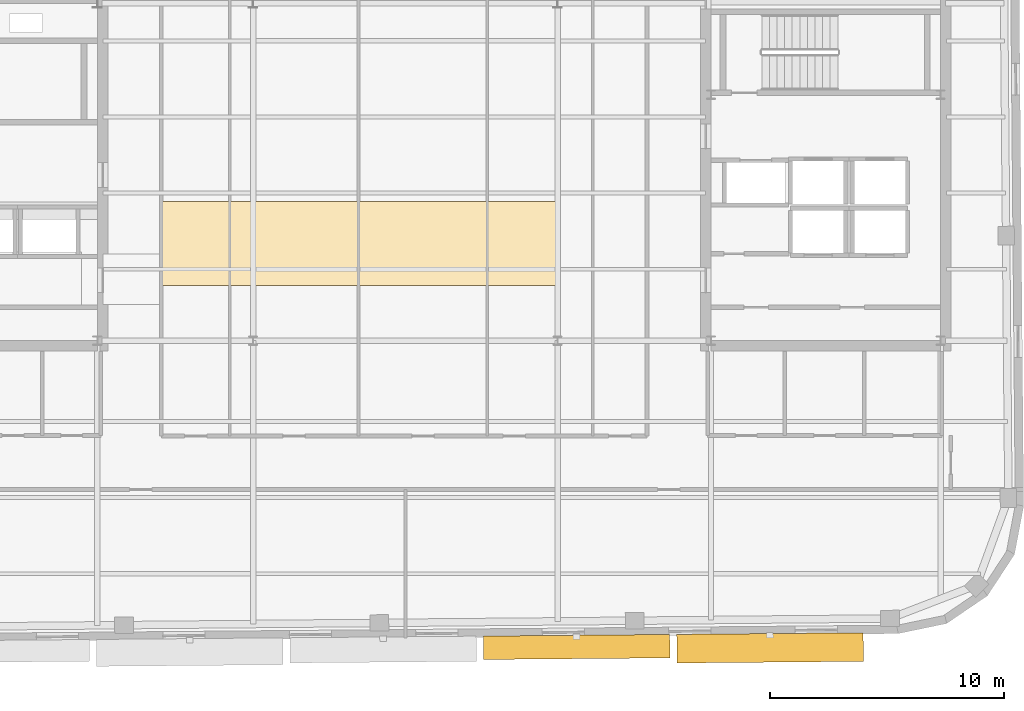
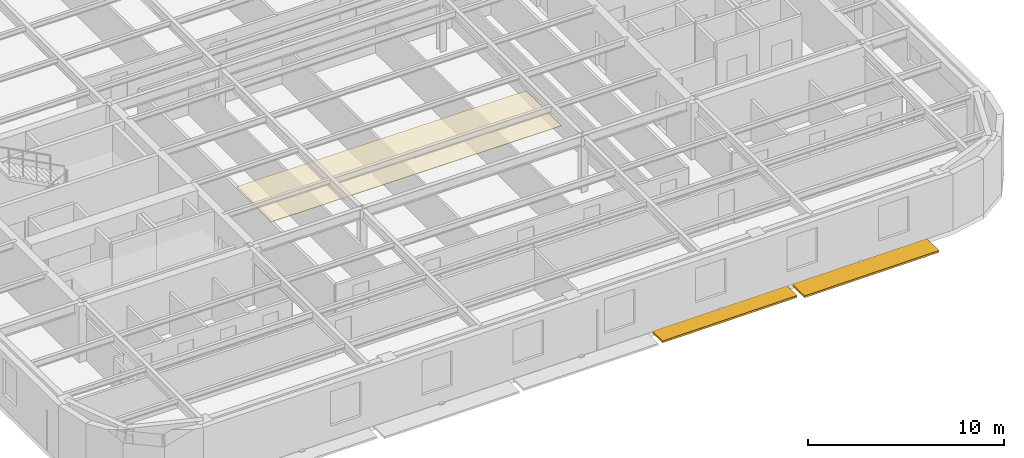
# One storey, part 12 of 14: 2 shading devices, 1 covering.
"""IFC4 building model written with IfcOpenShell, lengths in metres."""

from ifc_helpers import new_model, si_unit, direction, frame, origin, origin_2d, place, context, subcontext, project, spatial, polyline, rectangle, outline, extrude, material, layer, layer_set, type_object, element, save


model = new_model("IFC4")

# Units and contexts
model_context = context("Model", 3, precision=1e-05, world=origin(), true_north=direction((0.0, 1.0)))
body_context = subcontext(model_context, "Body", "Model", "MODEL_VIEW")
ifc_project = project(units=[si_unit("LENGTHUNIT", "METRE"), si_unit("AREAUNIT", "SQUARE_METRE"), si_unit("VOLUMEUNIT", "CUBIC_METRE"), si_unit("PLANEANGLEUNIT", "RADIAN"), si_unit("MASSUNIT", "GRAM", prefix="KILO")], contexts=[model_context])

# Site, building, storey
site_placement = place(None, origin())
site = spatial("IfcSite", under=ifc_project, at=site_placement, CompositionType="ELEMENT")
building_placement = place(site_placement, origin())
building = spatial("IfcBuilding", under=site, at=building_placement, Name="Kolvaren Arena Tower", CompositionType="ELEMENT")
storey_placement = place(building_placement, frame((0.0, 0.0, 297.39990234375)))
storey = spatial("IfcBuildingStorey", under=building, at=storey_placement, Name="L73", CompositionType="ELEMENT", Elevation=297.39990234375)

# Covering
ifc_material_1 = material(Name="Mineral fibre acoustic ceiling tile", Category="gypsum")
ifc_layer = layer(ifc_material_1, 0.02490234375)
ifc_layer_set = layer_set([ifc_layer], Name="Mineral fibre acoustic ceiling tile")
covering_type = type_object("IfcCoveringType", Name="CEIL-ACT-1", PredefinedType="CEILING", material=ifc_layer_set)
covering_placement = place(storey_placement, frame((0.0, 0.0, 2.52001953125)))
element("IfcCovering", 1, at=covering_placement, inside=storey, type_object=covering_type, Name="Suspended Ceiling (L73)", PredefinedType="CEILING", context=body_context, shape_type="SweptSolid", body=[
    extrude(outline(polyline([(27.050048828125, 21.800048828125), (27.050048828125, 25.39990234375), (44.10009765625, 25.39990234375), (44.10009765625, 21.800048828125), (27.050048828125, 21.800048828125)])), origin(), (0.0, 0.0, 1.0), 0.025146484375),
])

# Shading devices
ifc_material_2 = material(Name="Architectural precast GFRC and anodised aluminium sunshade", Category="concrete")
shading_device_type = type_object("IfcShadingDeviceType", Name="SHAD-SINE-A", PredefinedType="USERDEFINED", material=ifc_material_2)
shading_device_1_placement = place(storey_placement, frame((53.071044921875, 6.33544921875, -0.139892578125), z_axis=(0.0, 0.0, 1.0), x_axis=(-0.999961923064, -0.008726535498, 0.0)))
element("IfcShadingDevice", 2, at=shading_device_1_placement, inside=storey, type_object=shading_device_type, Name="Sinusoidal Slab-Edge Sunshade Louvre (L73)", ObjectType="LOUVRE", PredefinedType="USERDEFINED", context=body_context, shape_type="SweptSolid", body=[
    extrude(rectangle(XDim=7.9599609375, YDim=1.221923828125, at=origin_2d()), origin(), (0.0, 0.0, 1.0), 0.1201171875),
])
shading_device_2_placement = place(storey_placement, frame((44.810302734375, 6.373779296875, -0.139892578125), z_axis=(0.0, 0.0, 1.0), x_axis=(-0.999961923064, -0.008726535498, 0.0)))
element("IfcShadingDevice", 3, at=shading_device_2_placement, inside=storey, type_object=shading_device_type, Name="Sinusoidal Slab-Edge Sunshade Louvre (L73)", ObjectType="LOUVRE", PredefinedType="USERDEFINED", context=body_context, shape_type="SweptSolid", body=[
    extrude(rectangle(XDim=7.9599609375, YDim=1.001220703125, at=origin_2d()), origin(), (0.0, 0.0, 1.0), 0.1201171875),
])

save(model, "model.ifc")
